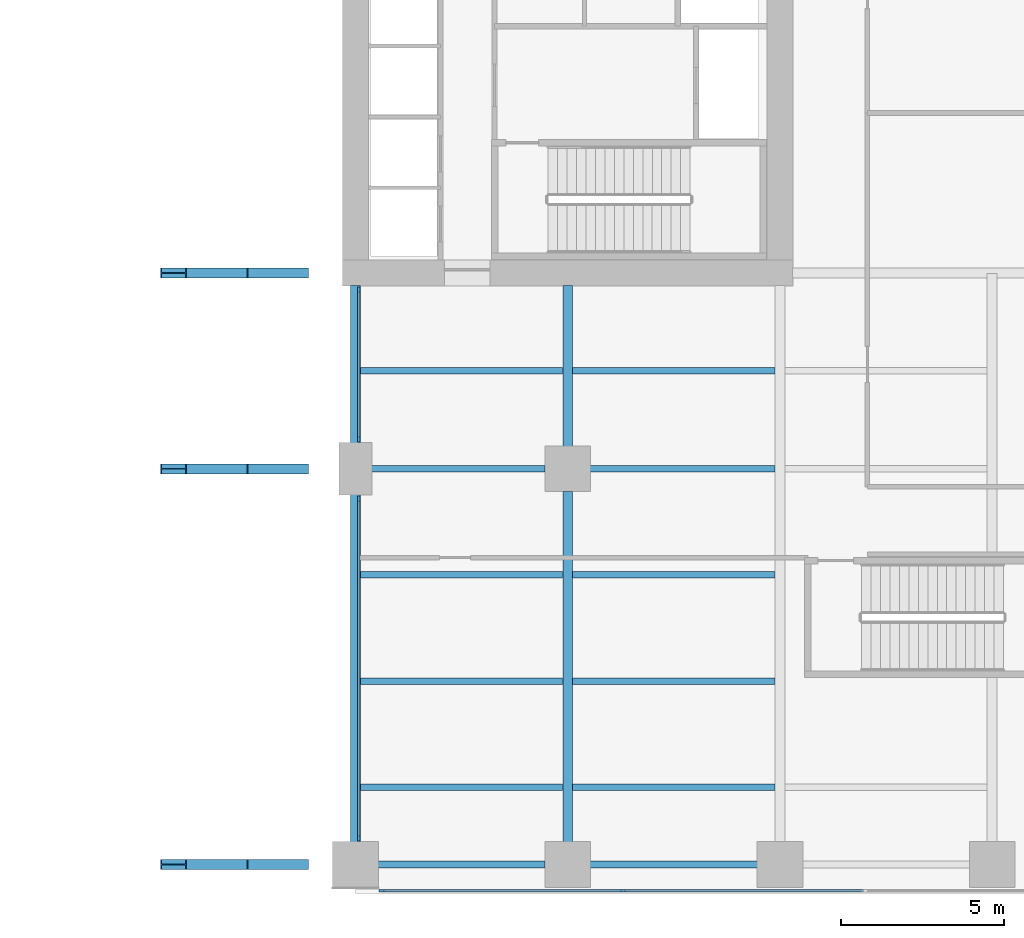
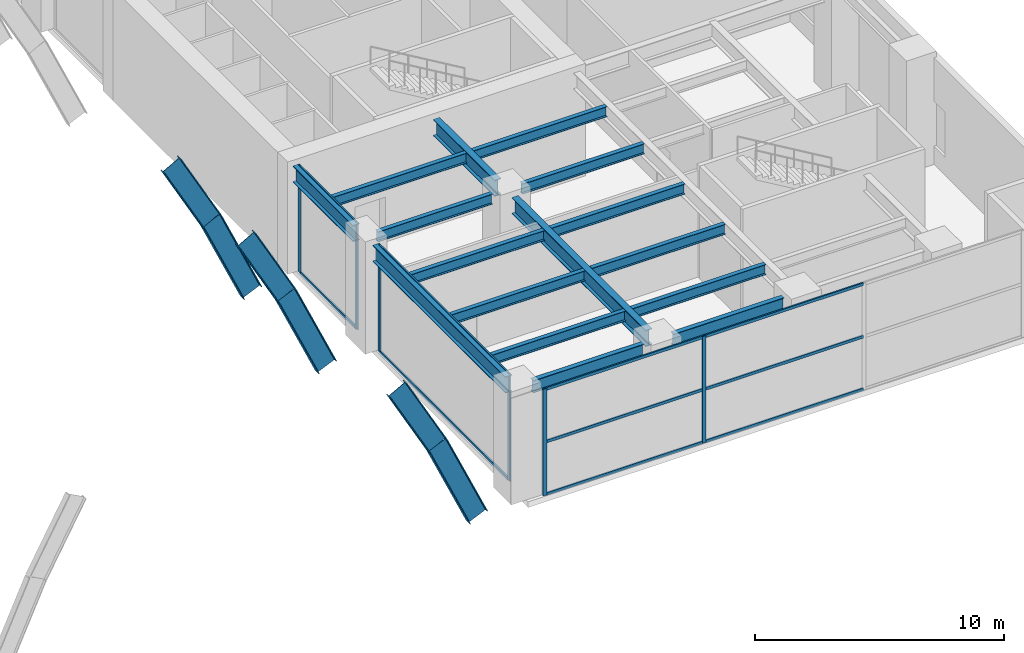
# One storey, part 4 of 17: 22 members, 16 beams, 3 elements without a shape of their own.
"""IFC4 building model written with IfcOpenShell, lengths in metres."""

from ifc_helpers import new_model, si_unit, direction, frame, origin, origin_2d, place, context, subcontext, project, spatial, rectangle, i_section, extrude, material, layer, layer_set, material_profile, profile_set, type_object, element, aggregate, save


model = new_model("IFC4")

# Units and contexts
model_context = context("Model", 3, precision=1e-05, world=origin(), true_north=direction((0.0, 1.0)))
body_context = subcontext(model_context, "Body", "Model", "MODEL_VIEW")
ifc_project = project(units=[si_unit("LENGTHUNIT", "METRE"), si_unit("AREAUNIT", "SQUARE_METRE"), si_unit("VOLUMEUNIT", "CUBIC_METRE"), si_unit("PLANEANGLEUNIT", "RADIAN"), si_unit("MASSUNIT", "GRAM", prefix="KILO")], contexts=[model_context])

# Site, building, storey
site_placement = place(None, origin())
site = spatial("IfcSite", under=ifc_project, at=site_placement, CompositionType="ELEMENT")
building_placement = place(site_placement, origin())
building = spatial("IfcBuilding", under=site, at=building_placement, Name="Putna Gate Headquarters", CompositionType="ELEMENT")
storey_placement = place(building_placement, frame((0.0, 0.0, 6.0)))
storey = spatial("IfcBuildingStorey", under=building, at=storey_placement, Name="L01", CompositionType="ELEMENT", Elevation=6.0)

# Beams
ifc_material_1 = material(Name="Steel S355J2", Category="steel")
ifc_material_profile_1 = material_profile(ifc_material_1, i_section(OverallWidth=0.300048828125, OverallDepth=0.800048828125, WebThickness=0.017578125, FlangeThickness=0.032958984375, at=origin_2d()), Name="Steel S355J2")
ifc_profile_set_1 = profile_set([ifc_material_profile_1], Name="Steel S355J2")
beam_type_1 = type_object("IfcBeamType", Name="BM-GIRD-P-HEB800", PredefinedType="USERDEFINED", material=ifc_profile_set_1)
beam_1_placement = place(storey_placement, frame((52.0, 1.568115234375, 4.820068359375), z_axis=(0.0, 1.0, 0.0), x_axis=(-1.0, 0.0, 0.0)))
element("IfcBeam", 1, at=beam_1_placement, inside=storey, type_object=beam_type_1, Name="L01 South Primary Girder X52-1", ObjectType="GIRDER", PredefinedType="USERDEFINED", context=body_context, shape_type="SweptSolid", body=[
    extrude(i_section(OverallWidth=0.300048828125, OverallDepth=0.800048828125, WebThickness=0.017578125, FlangeThickness=0.032958984375, at=origin_2d()), origin(), (0.0, 0.0, 1.0), 10.643798828125),
])
beam_2_placement = place(storey_placement, frame((52.0, 13.7880859375, 4.820068359375), z_axis=(0.0, 1.0, 0.0), x_axis=(-1.0, 0.0, 0.0)))
element("IfcBeam", 2, at=beam_2_placement, inside=storey, type_object=beam_type_1, Name="L01 South Primary Girder X52-2", ObjectType="GIRDER", PredefinedType="USERDEFINED", context=body_context, shape_type="SweptSolid", body=[
    extrude(i_section(OverallWidth=0.300048828125, OverallDepth=0.800048828125, WebThickness=0.017578125, FlangeThickness=0.032958984375, at=origin_2d()), origin(), (0.0, 0.0, 1.0), 4.826904296875),
])
beam_3_placement = place(storey_placement, frame((58.5, 1.568115234375, 4.820068359375), z_axis=(0.0, 1.0, 0.0), x_axis=(-1.0, 0.0, 0.0)))
element("IfcBeam", 3, at=beam_3_placement, inside=storey, type_object=beam_type_1, Name="L01 South Primary Girder X58-1", ObjectType="GIRDER", PredefinedType="USERDEFINED", context=body_context, shape_type="SweptSolid", body=[
    extrude(i_section(OverallWidth=0.300048828125, OverallDepth=0.800048828125, WebThickness=0.017578125, FlangeThickness=0.032958984375, at=origin_2d()), origin(), (0.0, 0.0, 1.0), 10.743896484375),
])
beam_4_placement = place(storey_placement, frame((58.5, 13.68798828125, 4.820068359375), z_axis=(0.0, 1.0, 0.0), x_axis=(-1.0, 0.0, 0.0)))
element("IfcBeam", 4, at=beam_4_placement, inside=storey, type_object=beam_type_1, Name="L01 South Primary Girder X58-2", ObjectType="GIRDER", PredefinedType="USERDEFINED", context=body_context, shape_type="SweptSolid", body=[
    extrude(i_section(OverallWidth=0.300048828125, OverallDepth=0.800048828125, WebThickness=0.017578125, FlangeThickness=0.032958984375, at=origin_2d()), origin(), (0.0, 0.0, 1.0), 4.927001953125),
])
ifc_material_profile_2 = material_profile(ifc_material_1, i_section(OverallWidth=0.199951171875, OverallDepth=0.5, WebThickness=0.01025390625, FlangeThickness=0.01611328125, at=origin_2d()), Name="Steel S355J2")
ifc_profile_set_2 = profile_set([ifc_material_profile_2], Name="Steel S355J2")
beam_type_2 = type_object("IfcBeamType", Name="BM-SEC-P-IPE500", PredefinedType="BEAM", material=ifc_profile_set_2)
for number, where, z_axis, x_axis, name in (
    (5, (52.154052734375, 3.25, 4.969970703125), (1.0, 0.0, 0.0), (0.0, 1.0, 0.0), "L01 South Secondary Beam 5"),
    (6, (52.154052734375, 6.5, 4.969970703125), (1.0, 0.0, 0.0), (0.0, 1.0, 0.0), "L01 South Secondary Beam 5"),
    (7, (52.154052734375, 9.75, 4.969970703125), (1.0, 0.0, 0.0), (0.0, 1.0, 0.0), "L01 South Secondary Beam 5"),
):
    element("IfcBeam", number, at=place(storey_placement, frame(where, z_axis=z_axis, x_axis=x_axis)), inside=storey, type_object=beam_type_2, Name=name, PredefinedType="BEAM", context=body_context, shape_type="SweptSolid", body=[
        extrude(i_section(OverallWidth=0.199951171875, OverallDepth=0.5, WebThickness=0.01025390625, FlangeThickness=0.01611328125, at=origin_2d()), origin(), (0.0, 0.0, 1.0), 6.19189453125),
    ])
beam_5_placement = place(storey_placement, frame((52.488037109375, 13.0, 4.969970703125), z_axis=(1.0, 0.0, 0.0), x_axis=(0.0, 1.0, 0.0)))
element("IfcBeam", 8, at=beam_5_placement, inside=storey, type_object=beam_type_2, Name="L01 South Secondary Beam 5", PredefinedType="BEAM", context=body_context, shape_type="SweptSolid", body=[
    extrude(i_section(OverallWidth=0.199951171875, OverallDepth=0.5, WebThickness=0.01025390625, FlangeThickness=0.01611328125, at=origin_2d()), origin(), (0.0, 0.0, 1.0), 5.323974609375),
])
for number, where, z_axis, x_axis, name in (
    (9, (52.154052734375, 16.0, 4.969970703125), (1.0, 0.0, 0.0), (0.0, 1.0, 0.0), "L01 South Secondary Beam 5"),
    (10, (58.654052734375, 3.25, 4.969970703125), (1.0, 0.0, 0.0), (0.0, 1.0, 0.0), "L01 South Secondary Beam 6"),
    (11, (58.654052734375, 6.5, 4.969970703125), (1.0, 0.0, 0.0), (0.0, 1.0, 0.0), "L01 South Secondary Beam 6"),
    (12, (58.654052734375, 9.75, 4.969970703125), (1.0, 0.0, 0.0), (0.0, 1.0, 0.0), "L01 South Secondary Beam 6"),
):
    element("IfcBeam", number, at=place(storey_placement, frame(where, z_axis=z_axis, x_axis=x_axis)), inside=storey, type_object=beam_type_2, Name=name, PredefinedType="BEAM", context=body_context, shape_type="SweptSolid", body=[
        extrude(i_section(OverallWidth=0.199951171875, OverallDepth=0.5, WebThickness=0.01025390625, FlangeThickness=0.01611328125, at=origin_2d()), origin(), (0.0, 0.0, 1.0), 6.19189453125),
    ])
beam_6_placement = place(storey_placement, frame((59.18798828125, 13.0, 4.969970703125), z_axis=(1.0, 0.0, 0.0), x_axis=(0.0, 1.0, 0.0)))
element("IfcBeam", 13, at=beam_6_placement, inside=storey, type_object=beam_type_2, Name="L01 South Secondary Beam 6", PredefinedType="BEAM", context=body_context, shape_type="SweptSolid", body=[
    extrude(i_section(OverallWidth=0.199951171875, OverallDepth=0.5, WebThickness=0.01025390625, FlangeThickness=0.01611328125, at=origin_2d()), origin(), (0.0, 0.0, 1.0), 5.657958984375),
])
beam_7_placement = place(storey_placement, frame((58.654052734375, 16.0, 4.969970703125), z_axis=(1.0, 0.0, 0.0), x_axis=(0.0, 1.0, 0.0)))
element("IfcBeam", 14, at=beam_7_placement, inside=storey, type_object=beam_type_2, Name="L01 South Secondary Beam 6", PredefinedType="BEAM", context=body_context, shape_type="SweptSolid", body=[
    extrude(i_section(OverallWidth=0.199951171875, OverallDepth=0.5, WebThickness=0.01025390625, FlangeThickness=0.01611328125, at=origin_2d()), origin(), (0.0, 0.0, 1.0), 6.19189453125),
])
ifc_material_profile_3 = material_profile(ifc_material_1, i_section(OverallWidth=0.219970703125, OverallDepth=0.60009765625, WebThickness=0.011962890625, FlangeThickness=0.01904296875, at=origin_2d()), Name="Steel S355J2")
ifc_profile_set_3 = profile_set([ifc_material_profile_3], Name="Steel S355J2")
beam_type_3 = type_object("IfcBeamType", Name="BM-SPAN-P-IPE600", PredefinedType="SPANDREL", material=ifc_profile_set_3)
for number, where, z_axis, x_axis, name in (
    (15, (52.68798828125, 0.8798828125, 4.919921875), (1.0, 0.0, 0.0), (0.0, 1.0, 0.0), "L01 S Perimeter Spandrel 5"),
    (16, (59.18798828125, 0.8798828125, 4.919921875), (1.0, 0.0, 0.0), (0.0, 1.0, 0.0), "L01 S Perimeter Spandrel 6"),
):
    element("IfcBeam", number, at=place(storey_placement, frame(where, z_axis=z_axis, x_axis=x_axis)), inside=storey, type_object=beam_type_3, Name=name, PredefinedType="SPANDREL", context=body_context, shape_type="SweptSolid", body=[
        extrude(i_section(OverallWidth=0.219970703125, OverallDepth=0.60009765625, WebThickness=0.011962890625, FlangeThickness=0.01904296875, at=origin_2d()), origin(), (0.0, 0.0, 1.0), 5.1240234375),
    ])

# Members
ifc_material_2 = material(Name="Steel S460M", Category="steel")
ifc_material_profile_4 = material_profile(ifc_material_2, i_section(OverallWidth=0.302001953125, OverallDepth=0.909912109375, WebThickness=0.02099609375, FlangeThickness=0.0400390625, at=origin_2d()), Name="Steel S460M")
ifc_profile_set_4 = profile_set([ifc_material_profile_4], Name="Steel S460M")
member_type_1 = type_object("IfcMemberType", Name="MEM-ARCH-CHORD-HEM900", PredefinedType="STRUT", material=ifc_profile_set_4)
member_1_placement = place(storey_placement, frame((46.4287109375, 0.8798828125, 6.94189453125), z_axis=(0.48154685796, 0.0, -0.876420346403), x_axis=(0.0, 1.0, 0.0)))
element("IfcMember", 17, at=member_1_placement, inside=storey, type_object=member_type_1, Name="Giant Parabolic Arch Chord S-12", PredefinedType="STRUT", context=body_context, shape_type="SweptSolid", body=[
    extrude(i_section(OverallWidth=0.302001953125, OverallDepth=0.909912109375, WebThickness=0.02099609375, FlangeThickness=0.0400390625, at=origin_2d()), origin(), (0.0, 0.0, 1.0), 3.856201171875),
])
member_2_placement = place(storey_placement, frame((48.28564453125, 0.8798828125, 3.562255859375), z_axis=(0.41007102507, 0.0, -0.912053591845), x_axis=(0.0, 1.0, 0.0)))
element("IfcMember", 18, at=member_2_placement, inside=storey, type_object=member_type_1, Name="Giant Parabolic Arch Chord S-13", PredefinedType="STRUT", context=body_context, shape_type="SweptSolid", body=[
    extrude(i_section(OverallWidth=0.302001953125, OverallDepth=0.909912109375, WebThickness=0.02099609375, FlangeThickness=0.0400390625, at=origin_2d()), origin(), (0.0, 0.0, 1.0), 4.52880859375),
])
ifc_material_profile_5 = material_profile(ifc_material_2, i_section(OverallWidth=0.302001953125, OverallDepth=0.909912109375, WebThickness=0.02099609375, FlangeThickness=0.0400390625, at=origin_2d()), Name="Steel S460M")
ifc_profile_set_5 = profile_set([ifc_material_profile_5], Name="Steel S460M")
member_type_2 = type_object("IfcMemberType", Name="MEM-ARCH-CHORD-INT-HEM900", PredefinedType="STRUT", material=ifc_profile_set_5)
member_3_placement = place(storey_placement, frame((46.4287109375, 13.0, 6.94189453125), z_axis=(0.48154685796, 0.0, -0.876420346403), x_axis=(0.0, 1.0, 0.0)))
element("IfcMember", 19, at=member_3_placement, inside=storey, type_object=member_type_2, Name="Giant Parabolic Arch Chord CS-12", PredefinedType="STRUT", context=body_context, shape_type="SweptSolid", body=[
    extrude(i_section(OverallWidth=0.302001953125, OverallDepth=0.909912109375, WebThickness=0.02099609375, FlangeThickness=0.0400390625, at=origin_2d()), origin(), (0.0, 0.0, 1.0), 3.856201171875),
])
member_4_placement = place(storey_placement, frame((48.28564453125, 13.0, 3.562255859375), z_axis=(0.41007102507, 0.0, -0.912053591845), x_axis=(0.0, 1.0, 0.0)))
element("IfcMember", 20, at=member_4_placement, inside=storey, type_object=member_type_2, Name="Giant Parabolic Arch Chord CS-13", PredefinedType="STRUT", context=body_context, shape_type="SweptSolid", body=[
    extrude(i_section(OverallWidth=0.302001953125, OverallDepth=0.909912109375, WebThickness=0.02099609375, FlangeThickness=0.0400390625, at=origin_2d()), origin(), (0.0, 0.0, 1.0), 4.52880859375),
])
member_5_placement = place(storey_placement, frame((46.4287109375, 19.0, 6.94189453125), z_axis=(0.48154685796, 0.0, -0.876420346403), x_axis=(0.0, 1.0, 0.0)))
element("IfcMember", 21, at=member_5_placement, inside=storey, type_object=member_type_2, Name="Giant Parabolic Arch Chord AS-12", PredefinedType="STRUT", context=body_context, shape_type="SweptSolid", body=[
    extrude(i_section(OverallWidth=0.302001953125, OverallDepth=0.909912109375, WebThickness=0.02099609375, FlangeThickness=0.0400390625, at=origin_2d()), origin(), (0.0, 0.0, 1.0), 3.856201171875),
])
member_6_placement = place(storey_placement, frame((48.28564453125, 19.0, 3.562255859375), z_axis=(0.41007102507, 0.0, -0.912053591845), x_axis=(0.0, 1.0, 0.0)))
element("IfcMember", 22, at=member_6_placement, inside=storey, type_object=member_type_2, Name="Giant Parabolic Arch Chord AS-13", PredefinedType="STRUT", context=body_context, shape_type="SweptSolid", body=[
    extrude(i_section(OverallWidth=0.302001953125, OverallDepth=0.909912109375, WebThickness=0.02099609375, FlangeThickness=0.0400390625, at=origin_2d()), origin(), (0.0, 0.0, 1.0), 4.52880859375),
])

# Curtain wall, members
ifc_material_3 = material(Name="Anodised bronze aluminium curtain wall", Category="aluminium")
ifc_layer_1 = layer(ifc_material_3, 0.179931640625)
ifc_layer_set_1 = layer_set([ifc_layer_1], Name="Anodised bronze aluminium curtain wall")
curtain_wall_type_1 = type_object("IfcCurtainWallType", Name="CW-SYS-ATR", PredefinedType="USERDEFINED", material=ifc_layer_set_1)
curtain_wall_1_placement = place(storey_placement, origin())
curtain_wall_1 = element("IfcCurtainWall", 23, at=curtain_wall_1_placement, inside=storey, type_object=curtain_wall_type_1, Name="L01 Arch Flank Glazing E-S1", ObjectType="ATRIUM GLAZING", PredefinedType="USERDEFINED")
ifc_material_4 = material(Name="Anodised bronze aluminium EN AW-6060", Category="aluminium")
ifc_material_profile_6 = material_profile(ifc_material_4, rectangle(XDim=0.070068359375, YDim=0.179931640625, at=origin_2d()), Name="Anodised bronze aluminium EN AW-6060")
ifc_profile_set_6 = profile_set([ifc_material_profile_6], Name="Anodised bronze aluminium EN AW-6060")
member_type_3 = type_object("IfcMemberType", Name="MULL-CWM-AT", PredefinedType="MULLION", material=ifc_profile_set_6)
member_7_placement = place(storey_placement, frame((52.10009765625, 1.68505859375, 0.0), z_axis=(0.0, 0.0, 1.0), x_axis=(-1.0, 0.0, 0.0)))
member_7 = element("IfcMember", 24, at=member_7_placement, type_object=member_type_3, Name="CWS-AT mullion 1", PredefinedType="MULLION", context=body_context, shape_type="SweptSolid", body=[
    extrude(rectangle(XDim=0.070068359375, YDim=0.179931640625, at=origin_2d()), origin(), (0.0, 0.0, 1.0), 5.219970703125),
])
member_8_placement = place(storey_placement, frame((52.10009765625, 12.0849609375, 0.0), z_axis=(0.0, 0.0, 1.0), x_axis=(-1.0, 0.0, 0.0)))
member_8 = element("IfcMember", 25, at=member_8_placement, type_object=member_type_3, Name="CWS-AT mullion 2", PredefinedType="MULLION", context=body_context, shape_type="SweptSolid", body=[
    extrude(rectangle(XDim=0.070068359375, YDim=0.179931640625, at=origin_2d()), origin(), (0.0, 0.0, 1.0), 5.219970703125),
])

curtain_wall_2_placement = place(storey_placement, origin())
curtain_wall_2 = element("IfcCurtainWall", 26, at=curtain_wall_2_placement, inside=storey, type_object=curtain_wall_type_1, Name="L01 Arch Flank Glazing E-S2", ObjectType="ATRIUM GLAZING", PredefinedType="USERDEFINED")
member_9_placement = place(storey_placement, frame((52.10009765625, 13.9150390625, 0.0), z_axis=(0.0, 0.0, 1.0), x_axis=(-1.0, 0.0, 0.0)))
member_9 = element("IfcMember", 27, at=member_9_placement, type_object=member_type_3, Name="CWS-AT mullion 1", PredefinedType="MULLION", context=body_context, shape_type="SweptSolid", body=[
    extrude(rectangle(XDim=0.070068359375, YDim=0.179931640625, at=origin_2d()), origin(), (0.0, 0.0, 1.0), 5.219970703125),
])
member_10_placement = place(storey_placement, frame((52.10009765625, 18.485107421875, 0.0), z_axis=(0.0, 0.0, 1.0), x_axis=(-1.0, 0.0, 0.0)))
member_10 = element("IfcMember", 28, at=member_10_placement, type_object=member_type_3, Name="CWS-AT mullion 2", PredefinedType="MULLION", context=body_context, shape_type="SweptSolid", body=[
    extrude(rectangle(XDim=0.070068359375, YDim=0.179931640625, at=origin_2d()), origin(), (0.0, 0.0, 1.0), 5.219970703125),
])

ifc_layer_2 = layer(ifc_material_3, 0.179931640625)
ifc_layer_set_2 = layer_set([ifc_layer_2], Name="Anodised bronze aluminium curtain wall")
curtain_wall_type_2 = type_object("IfcCurtainWallType", Name="CW-SYS-POD", PredefinedType="USERDEFINED", material=ifc_layer_set_2)
curtain_wall_3_placement = place(storey_placement, origin())
curtain_wall_3 = element("IfcCurtainWall", 29, at=curtain_wall_3_placement, inside=storey, type_object=curtain_wall_type_2, Name="L01 South East Curtain Wall", ObjectType="STICK CURTAIN WALL", PredefinedType="USERDEFINED")
ifc_material_profile_7 = material_profile(ifc_material_4, rectangle(XDim=0.070068359375, YDim=0.179931640625, at=origin_2d()), Name="Anodised bronze aluminium EN AW-6060")
ifc_profile_set_7 = profile_set([ifc_material_profile_7], Name="Anodised bronze aluminium EN AW-6060")
member_type_4 = type_object("IfcMemberType", Name="MULL-CWM-P", PredefinedType="MULLION", material=ifc_profile_set_7)
member_11_placement = place(storey_placement, frame((52.81494140625, 0.080078125, 0.0), z_axis=(0.0, 0.0, 1.0), x_axis=(0.0, 1.0, 0.0)))
member_11 = element("IfcMember", 30, at=member_11_placement, type_object=member_type_4, Name="CWS-P mullion 1", PredefinedType="MULLION", context=body_context, shape_type="SweptSolid", body=[
    extrude(rectangle(XDim=0.070068359375, YDim=0.179931640625, at=origin_2d()), origin(), (0.0, 0.0, 1.0), 5.219970703125),
])
member_12_placement = place(storey_placement, frame((60.186767578125, 0.080078125, 0.0), z_axis=(0.0, 0.0, 1.0), x_axis=(0.0, 1.0, 0.0)))
member_12 = element("IfcMember", 31, at=member_12_placement, type_object=member_type_4, Name="CWS-P mullion 2", PredefinedType="MULLION", context=body_context, shape_type="SweptSolid", body=[
    extrude(rectangle(XDim=0.070068359375, YDim=0.179931640625, at=origin_2d()), origin(), (0.0, 0.0, 1.0), 5.219970703125),
])

# Member
ifc_material_profile_8 = material_profile(ifc_material_4, rectangle(XDim=0.070068359375, YDim=0.139892578125, at=origin_2d()), Name="Anodised bronze aluminium EN AW-6060")
ifc_profile_set_8 = profile_set([ifc_material_profile_8], Name="Anodised bronze aluminium EN AW-6060")
member_type_5 = type_object("IfcMemberType", Name="TRAN-CWT-AT", PredefinedType="USERDEFINED", material=ifc_profile_set_8)
member_13_placement = place(storey_placement, frame((52.10009765625, 1.719970703125, 0.034912109375), z_axis=(0.0, 1.0, 0.0), x_axis=(-1.0, 0.0, 0.0)))
member_13 = element("IfcMember", 32, at=member_13_placement, type_object=member_type_5, Name="CWS-AT transom 1.1", ObjectType="TRANSOM", PredefinedType="USERDEFINED", context=body_context, shape_type="SweptSolid", body=[
    extrude(rectangle(XDim=0.070068359375, YDim=0.139892578125, at=origin_2d()), origin(), (0.0, 0.0, 1.0), 10.330078125),
])

member_14_placement = place(storey_placement, frame((52.10009765625, 1.719970703125, 5.18505859375), z_axis=(0.0, 1.0, 0.0), x_axis=(-1.0, 0.0, 0.0)))
member_14 = element("IfcMember", 33, at=member_14_placement, type_object=member_type_5, Name="CWS-AT transom 1.2", ObjectType="TRANSOM", PredefinedType="USERDEFINED", context=body_context, shape_type="SweptSolid", body=[
    extrude(rectangle(XDim=0.070068359375, YDim=0.139892578125, at=origin_2d()), origin(), (0.0, 0.0, 1.0), 10.330078125),
])

aggregate(curtain_wall_1, [member_7, member_8, member_13, member_14])

member_15_placement = place(storey_placement, frame((52.10009765625, 13.949951171875, 0.034912109375), z_axis=(0.0, 1.0, 0.0), x_axis=(-1.0, 0.0, 0.0)))
member_15 = element("IfcMember", 34, at=member_15_placement, type_object=member_type_5, Name="CWS-AT transom 1.1", ObjectType="TRANSOM", PredefinedType="USERDEFINED", context=body_context, shape_type="SweptSolid", body=[
    extrude(rectangle(XDim=0.070068359375, YDim=0.139892578125, at=origin_2d()), origin(), (0.0, 0.0, 1.0), 4.5),
])

member_16_placement = place(storey_placement, frame((52.10009765625, 13.949951171875, 5.18505859375), z_axis=(0.0, 1.0, 0.0), x_axis=(-1.0, 0.0, 0.0)))
member_16 = element("IfcMember", 35, at=member_16_placement, type_object=member_type_5, Name="CWS-AT transom 1.2", ObjectType="TRANSOM", PredefinedType="USERDEFINED", context=body_context, shape_type="SweptSolid", body=[
    extrude(rectangle(XDim=0.070068359375, YDim=0.139892578125, at=origin_2d()), origin(), (0.0, 0.0, 1.0), 4.5),
])

aggregate(curtain_wall_2, [member_9, member_10, member_15, member_16])

ifc_material_profile_9 = material_profile(ifc_material_4, rectangle(XDim=0.070068359375, YDim=0.139892578125, at=origin_2d()), Name="Anodised bronze aluminium EN AW-6060")
ifc_profile_set_9 = profile_set([ifc_material_profile_9], Name="Anodised bronze aluminium EN AW-6060")
member_type_6 = type_object("IfcMemberType", Name="TRAN-CWT-P", PredefinedType="USERDEFINED", material=ifc_profile_set_9)
member_17_placement = place(storey_placement, frame((52.85009765625, 0.080078125, 0.034912109375), z_axis=(1.0, 0.0, 0.0), x_axis=(0.0, 1.0, 0.0)))
member_17 = element("IfcMember", 36, at=member_17_placement, type_object=member_type_6, Name="CWS-P transom 1.1", ObjectType="TRANSOM", PredefinedType="USERDEFINED", context=body_context, shape_type="SweptSolid", body=[
    extrude(rectangle(XDim=0.070068359375, YDim=0.139892578125, at=origin_2d()), origin(), (0.0, 0.0, 1.0), 7.301513671875),
])

member_18_placement = place(storey_placement, frame((52.85009765625, 0.080078125, 2.610107421875), z_axis=(1.0, 0.0, 0.0), x_axis=(0.0, 1.0, 0.0)))
member_18 = element("IfcMember", 37, at=member_18_placement, type_object=member_type_6, Name="CWS-P transom 1.2", ObjectType="TRANSOM", PredefinedType="USERDEFINED", context=body_context, shape_type="SweptSolid", body=[
    extrude(rectangle(XDim=0.070068359375, YDim=0.139892578125, at=origin_2d()), origin(), (0.0, 0.0, 1.0), 7.301513671875),
])

member_19_placement = place(storey_placement, frame((52.85009765625, 0.080078125, 5.18505859375), z_axis=(1.0, 0.0, 0.0), x_axis=(0.0, 1.0, 0.0)))
member_19 = element("IfcMember", 38, at=member_19_placement, type_object=member_type_6, Name="CWS-P transom 1.3", ObjectType="TRANSOM", PredefinedType="USERDEFINED", context=body_context, shape_type="SweptSolid", body=[
    extrude(rectangle(XDim=0.070068359375, YDim=0.139892578125, at=origin_2d()), origin(), (0.0, 0.0, 1.0), 7.301513671875),
])

member_20_placement = place(storey_placement, frame((60.2216796875, 0.080078125, 0.034912109375), z_axis=(1.0, 0.0, 0.0), x_axis=(0.0, 1.0, 0.0)))
member_20 = element("IfcMember", 39, at=member_20_placement, type_object=member_type_6, Name="CWS-P transom 2.1", ObjectType="TRANSOM", PredefinedType="USERDEFINED", context=body_context, shape_type="SweptSolid", body=[
    extrude(rectangle(XDim=0.070068359375, YDim=0.139892578125, at=origin_2d()), origin(), (0.0, 0.0, 1.0), 7.336669921875),
])

member_21_placement = place(storey_placement, frame((60.2216796875, 0.080078125, 2.610107421875), z_axis=(1.0, 0.0, 0.0), x_axis=(0.0, 1.0, 0.0)))
member_21 = element("IfcMember", 40, at=member_21_placement, type_object=member_type_6, Name="CWS-P transom 2.2", ObjectType="TRANSOM", PredefinedType="USERDEFINED", context=body_context, shape_type="SweptSolid", body=[
    extrude(rectangle(XDim=0.070068359375, YDim=0.139892578125, at=origin_2d()), origin(), (0.0, 0.0, 1.0), 7.336669921875),
])

member_22_placement = place(storey_placement, frame((60.2216796875, 0.080078125, 5.18505859375), z_axis=(1.0, 0.0, 0.0), x_axis=(0.0, 1.0, 0.0)))
member_22 = element("IfcMember", 41, at=member_22_placement, type_object=member_type_6, Name="CWS-P transom 2.3", ObjectType="TRANSOM", PredefinedType="USERDEFINED", context=body_context, shape_type="SweptSolid", body=[
    extrude(rectangle(XDim=0.070068359375, YDim=0.139892578125, at=origin_2d()), origin(), (0.0, 0.0, 1.0), 7.336669921875),
])

aggregate(curtain_wall_3, [member_11, member_12, member_17, member_18, member_19, member_20, member_21, member_22])

save(model, "model.ifc")
